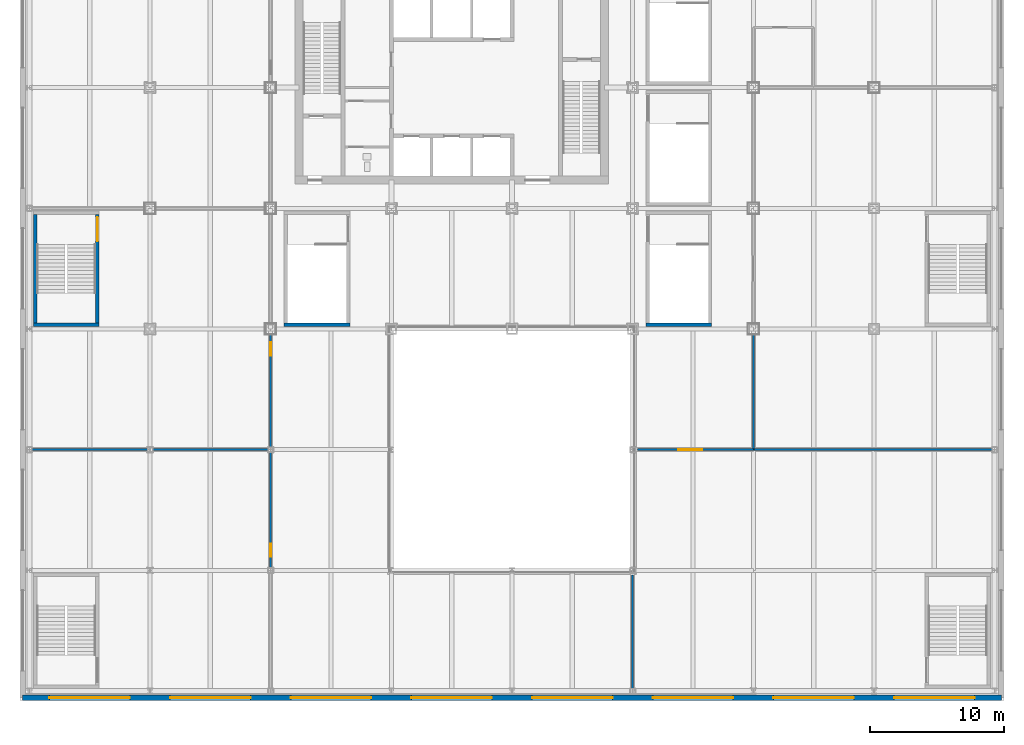
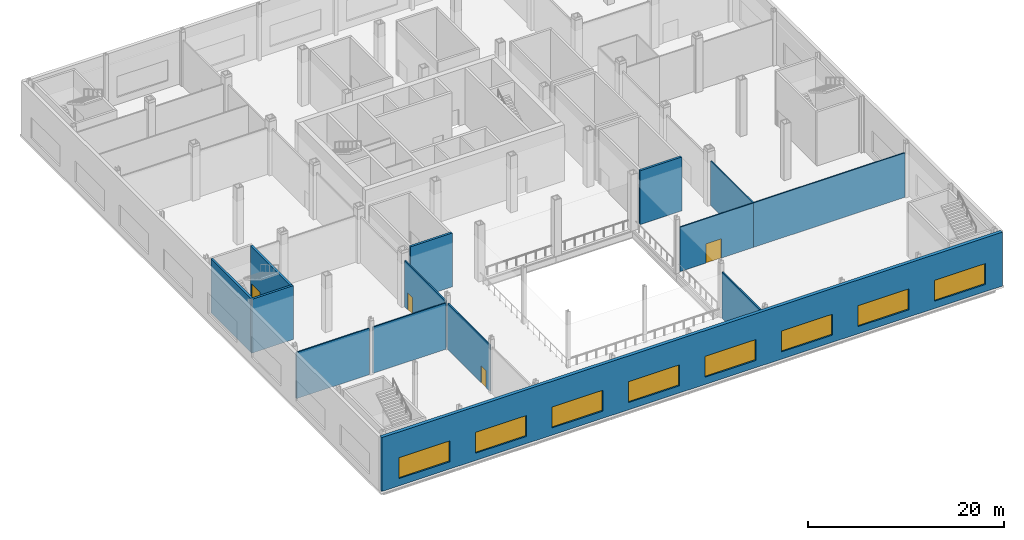
# One storey, part 11 of 32: 14 walls, 8 windows, 4 doors, 12 openings.
"""IFC4 building model written with IfcOpenShell, lengths in metres."""

from ifc_helpers import new_model, si_unit, direction, frame, frame_2d, origin, place, context, subcontext, project, spatial, rectangle, extrude, material, layer, layer_set, type_object, element, fill, save


model = new_model("IFC4")

# Units and contexts
model_context = context("Model", 3, precision=1e-05, world=origin(), true_north=direction((0.0, 1.0)))
body_context = subcontext(model_context, "Body", "Model", "MODEL_VIEW")
ifc_project = project(units=[si_unit("LENGTHUNIT", "METRE"), si_unit("AREAUNIT", "SQUARE_METRE"), si_unit("VOLUMEUNIT", "CUBIC_METRE"), si_unit("PLANEANGLEUNIT", "RADIAN"), si_unit("MASSUNIT", "GRAM", prefix="KILO")], contexts=[model_context])

# Site, building, storey
site_placement = place(None, origin())
site = spatial("IfcSite", under=ifc_project, at=site_placement, CompositionType="ELEMENT")
building_placement = place(site_placement, origin())
building = spatial("IfcBuilding", under=site, at=building_placement, Name="Loomwork Tower", CompositionType="ELEMENT")
storey_placement = place(building_placement, frame((0.0, 0.0, 16.0)))
storey = spatial("IfcBuildingStorey", under=building, at=storey_placement, Name="L03", CompositionType="ELEMENT", Elevation=16.0)

# Walls
ifc_material_1 = material(Name="Gypsum board on steel studs, one-hour", Category="steel")
ifc_layer_1 = layer(ifc_material_1, 0.14990234375)
ifc_layer_set_1 = layer_set([ifc_layer_1], Name="Partition 150")
wall_type_1 = type_object("IfcWallType", Name="Partition 150", PredefinedType="PARTITIONING", material=ifc_layer_set_1)
wall_1_placement = place(storey_placement, frame((-8.81201171875, -9.0, 0.0), z_axis=(0.0, 0.0, 1.0), x_axis=(1.0, 0.0, 0.0)))
element("IfcWall", 1, at=wall_1_placement, inside=storey, type_object=wall_type_1, Name="Partition L03 1.1", PredefinedType="PARTITIONING", context=body_context, shape_type="SweptSolid", body=[
    extrude(rectangle(XDim=8.615234375, YDim=0.14990234375, at=frame_2d((4.3076171875, 0.0))), origin(), (0.0, 0.0, 1.0), 5.752685546875),
])
wall_2_placement = place(storey_placement, frame((0.19677734375, -9.0, 0.0), z_axis=(0.0, 0.0, 1.0), x_axis=(1.0, 0.0, 0.0)))
element("IfcWall", 2, at=wall_2_placement, inside=storey, type_object=wall_type_1, Name="Partition L03 1.2", PredefinedType="PARTITIONING", context=body_context, shape_type="SweptSolid", body=[
    extrude(rectangle(XDim=8.6064453125, YDim=0.14990234375, at=frame_2d((4.30322265625, 0.0))), origin(), (0.0, 0.0, 1.0), 5.752685546875),
])

# Wall, opening, door
wall_3_placement = place(storey_placement, frame((9.0, -9.18798828125, 0.0), z_axis=(0.0, 0.0, 1.0), x_axis=(0.0, -1.0, 0.0)))
wall_3 = element("IfcWall", 3, at=wall_3_placement, inside=storey, type_object=wall_type_1, Name="Partition L03 6.1", PredefinedType="PARTITIONING", context=body_context, shape_type="SweptSolid", body=[
    extrude(rectangle(XDim=8.6240234375, YDim=0.14990234375, at=frame_2d((4.31201171875, 0.0))), origin(), (0.0, 0.0, 1.0), 5.752685546875),
])
opening_1_placement = place(wall_3_placement, frame((6.81201171875, 0.0, 0.0)))
opening_1 = element("IfcOpeningElement", 4, at=opening_1_placement, cuts=wall_3, Name="Opening D7", PredefinedType="OPENING", context=body_context, shape_type="SweptSolid", body=[
    extrude(rectangle(XDim=1.0, YDim=2.10009765625, at=frame_2d((0.5, 1.050048828125))), frame((0.0, 0.0849609375, 0.0), z_axis=(0.0, -1.0, 0.0), x_axis=(1.0, 0.0, 0.0)), (0.0, 0.0, 1.0), 0.169921875),
])
ifc_material_2 = material(Name="Hollow metal door and frame")
door_type_1 = type_object("IfcDoorType", Name="Room door 1000", OperationType="SINGLE_SWING_LEFT", PredefinedType="DOOR", material=ifc_material_2)
door_1_placement = place(opening_1_placement, origin())
door_1 = element("IfcDoor", 5, at=door_1_placement, inside=storey, type_object=door_type_1, Name="Meeting room 301 door", OperationType="SINGLE_SWING_LEFT", OverallHeight=2.10009765625, OverallWidth=1.0, PredefinedType="DOOR", context=body_context, shape_type="SweptSolid", body=[
    extrude(rectangle(XDim=1.0, YDim=2.10009765625, at=frame_2d((0.5, 1.050048828125))), frame((0.0, 0.02490234375, 0.0), z_axis=(0.0, -1.0, 0.0), x_axis=(1.0, 0.0, 0.0)), (0.0, 0.0, 1.0), 0.050048828125),
])
fill(opening_1, door_1)

wall_4_placement = place(storey_placement, frame((9.0, -0.39990234375, 0.0), z_axis=(0.0, 0.0, 1.0), x_axis=(0.0, -1.0, 0.0)))
wall_4 = element("IfcWall", 6, at=wall_4_placement, inside=storey, type_object=wall_type_1, Name="Partition L03 7.2", PredefinedType="PARTITIONING", context=body_context, shape_type="SweptSolid", body=[
    extrude(rectangle(XDim=8.412109375, YDim=0.14990234375, at=frame_2d((4.2060546875, 0.0))), origin(), (0.0, 0.0, 1.0), 5.752685546875),
])
opening_2_placement = place(wall_4_placement, frame((0.60009765625, 0.0, 0.0)))
opening_2 = element("IfcOpeningElement", 7, at=opening_2_placement, cuts=wall_4, Name="Opening D7", PredefinedType="OPENING", context=body_context, shape_type="SweptSolid", body=[
    extrude(rectangle(XDim=1.0, YDim=2.10009765625, at=frame_2d((0.5, 1.050048828125))), frame((0.0, 0.0849609375, 0.0), z_axis=(0.0, -1.0, 0.0), x_axis=(1.0, 0.0, 0.0)), (0.0, 0.0, 1.0), 0.169921875),
])
door_2_placement = place(opening_2_placement, origin())
door_2 = element("IfcDoor", 8, at=door_2_placement, inside=storey, type_object=door_type_1, Name="Meeting room 302 door", OperationType="SINGLE_SWING_LEFT", OverallHeight=2.10009765625, OverallWidth=1.0, PredefinedType="DOOR", context=body_context, shape_type="SweptSolid", body=[
    extrude(rectangle(XDim=1.0, YDim=2.10009765625, at=frame_2d((0.5, 1.050048828125))), frame((0.0, 0.02490234375, 0.0), z_axis=(0.0, -1.0, 0.0), x_axis=(1.0, 0.0, 0.0)), (0.0, 0.0, 1.0), 0.050048828125),
])
fill(opening_2, door_2)

# Wall
wall_5_placement = place(storey_placement, frame((36.0, -26.81201171875, 0.0), z_axis=(0.0, 0.0, 1.0), x_axis=(0.0, 1.0, 0.0)))
element("IfcWall", 9, at=wall_5_placement, inside=storey, type_object=wall_type_1, Name="Partition L03 12.1", PredefinedType="PARTITIONING", context=body_context, shape_type="SweptSolid", body=[
    extrude(rectangle(XDim=8.4619140625, YDim=0.14990234375, at=frame_2d((4.23095703125, 0.0))), origin(), (0.0, 0.0, 1.0), 5.752685546875),
])

# Wall, opening, door
wall_6_placement = place(storey_placement, frame((36.35009765625, -9.0, 0.0), z_axis=(0.0, 0.0, 1.0), x_axis=(1.0, 0.0, 0.0)))
wall_6 = element("IfcWall", 10, at=wall_6_placement, inside=storey, type_object=wall_type_1, Name="Partition L03 13.1", PredefinedType="PARTITIONING", context=body_context, shape_type="SweptSolid", body=[
    extrude(rectangle(XDim=8.64990234375, YDim=0.14990234375, at=frame_2d((4.324951171875, 0.0))), origin(), (0.0, 0.0, 1.0), 5.52001953125),
])
opening_3_placement = place(wall_6_placement, frame((3.050048828125, 0.0, 0.0)))
opening_3 = element("IfcOpeningElement", 11, at=opening_3_placement, cuts=wall_6, Name="Opening D9", PredefinedType="OPENING", context=body_context, shape_type="SweptSolid", body=[
    extrude(rectangle(XDim=1.800048828125, YDim=2.39990234375, at=frame_2d((0.89990234375, 1.199951171875))), frame((0.0, 0.0849609375, 0.0), z_axis=(0.0, -1.0, 0.0), x_axis=(1.0, 0.0, 0.0)), (0.0, 0.0, 1.0), 0.169921875),
])
ifc_material_3 = material(Name="Hollow metal door and frame")
door_type_2 = type_object("IfcDoorType", Name="Double door 1800", OperationType="DOUBLE_DOOR_SINGLE_SWING", PredefinedType="DOOR", material=ifc_material_3)
door_3_placement = place(opening_3_placement, origin())
door_3 = element("IfcDoor", 12, at=door_3_placement, inside=storey, type_object=door_type_2, Name="Grand ballroom door", OperationType="DOUBLE_DOOR_SINGLE_SWING", OverallHeight=2.39990234375, OverallWidth=1.800048828125, PredefinedType="DOOR", context=body_context, shape_type="SweptSolid", body=[
    extrude(rectangle(XDim=1.800048828125, YDim=2.39990234375, at=frame_2d((0.89990234375, 1.199951171875))), frame((0.0, 0.02490234375, 0.0), z_axis=(0.0, -1.0, 0.0), x_axis=(1.0, 0.0, 0.0)), (0.0, 0.0, 1.0), 0.050048828125),
])
fill(opening_3, door_3)

# Walls
wall_7_placement = place(storey_placement, frame((45.0, -9.0, 0.0), z_axis=(0.0, 0.0, 1.0), x_axis=(1.0, 0.0, 0.0)))
element("IfcWall", 13, at=wall_7_placement, inside=storey, type_object=wall_type_1, Name="Partition L03 14.1", PredefinedType="PARTITIONING", context=body_context, shape_type="SweptSolid", body=[
    extrude(rectangle(XDim=17.81201171875, YDim=0.14990234375, at=frame_2d((8.906005859375, 0.0))), origin(), (0.0, 0.0, 1.0), 5.52001953125),
])
wall_8_placement = place(storey_placement, frame((45.0, -9.0, 0.0), z_axis=(0.0, 0.0, 1.0), x_axis=(0.0, 1.0, 0.0)))
element("IfcWall", 14, at=wall_8_placement, inside=storey, type_object=wall_type_1, Name="Partition L03 15.1", PredefinedType="PARTITIONING", context=body_context, shape_type="SweptSolid", body=[
    extrude(rectangle(XDim=8.60009765625, YDim=0.14990234375, at=frame_2d((4.300048828125, 0.0))), origin(), (0.0, 0.0, 1.0), 5.52001953125),
])

# Wall, openings, windows
ifc_material_4 = material(Name="Limestone on concrete masonry", Category="masonry")
ifc_layer_2 = layer(ifc_material_4, 0.39990234375)
ifc_layer_set_2 = layer_set([ifc_layer_2], Name="Podium limestone wall 400")
wall_type_2 = type_object("IfcWallType", Name="Podium limestone wall 400", PredefinedType="SOLIDWALL", material=ifc_layer_set_2)
wall_9_placement = place(storey_placement, frame((-9.5, -27.5, 0.0), z_axis=(0.0, 0.0, 1.0), x_axis=(1.0, 0.0, 0.0)))
wall_9 = element("IfcWall", 15, at=wall_9_placement, inside=storey, type_object=wall_type_2, Name="Podium stone wall S", PredefinedType="SOLIDWALL", context=body_context, shape_type="SweptSolid", body=[
    extrude(rectangle(XDim=73.0, YDim=0.39990234375, at=frame_2d((36.5, 0.0))), origin(), (0.0, 0.0, 1.0), 6.699951171875),
])
opening_4_placement = place(wall_9_placement, frame((2.0, 0.0, 0.89990234375)))
opening_4 = element("IfcOpeningElement", 16, at=opening_4_placement, cuts=wall_9, Name="Opening CH3", PredefinedType="OPENING", context=body_context, shape_type="SweptSolid", body=[
    extrude(rectangle(XDim=6.0, YDim=2.60009765625, at=frame_2d((3.0, 1.300048828125))), frame((0.0, 0.2099609375, 0.0), z_axis=(0.0, -1.0, 0.0), x_axis=(1.0, 0.0, 0.0)), (0.0, 0.0, 1.0), 0.419921875),
])
opening_5_placement = place(wall_9_placement, frame((11.0, 0.0, 0.89990234375)))
opening_5 = element("IfcOpeningElement", 17, at=opening_5_placement, cuts=wall_9, Name="Opening CH3", PredefinedType="OPENING", context=body_context, shape_type="SweptSolid", body=[
    extrude(rectangle(XDim=6.0, YDim=2.60009765625, at=frame_2d((3.0, 1.300048828125))), frame((0.0, 0.2099609375, 0.0), z_axis=(0.0, -1.0, 0.0), x_axis=(1.0, 0.0, 0.0)), (0.0, 0.0, 1.0), 0.419921875),
])
opening_6_placement = place(wall_9_placement, frame((20.0, 0.0, 0.89990234375)))
opening_6 = element("IfcOpeningElement", 18, at=opening_6_placement, cuts=wall_9, Name="Opening CH3", PredefinedType="OPENING", context=body_context, shape_type="SweptSolid", body=[
    extrude(rectangle(XDim=6.0, YDim=2.60009765625, at=frame_2d((3.0, 1.300048828125))), frame((0.0, 0.2099609375, 0.0), z_axis=(0.0, -1.0, 0.0), x_axis=(1.0, 0.0, 0.0)), (0.0, 0.0, 1.0), 0.419921875),
])
opening_7_placement = place(wall_9_placement, frame((29.0, 0.0, 0.89990234375)))
opening_7 = element("IfcOpeningElement", 19, at=opening_7_placement, cuts=wall_9, Name="Opening CH3", PredefinedType="OPENING", context=body_context, shape_type="SweptSolid", body=[
    extrude(rectangle(XDim=6.0, YDim=2.60009765625, at=frame_2d((3.0, 1.300048828125))), frame((0.0, 0.2099609375, 0.0), z_axis=(0.0, -1.0, 0.0), x_axis=(1.0, 0.0, 0.0)), (0.0, 0.0, 1.0), 0.419921875),
])
opening_8_placement = place(wall_9_placement, frame((38.0, 0.0, 0.89990234375)))
opening_8 = element("IfcOpeningElement", 20, at=opening_8_placement, cuts=wall_9, Name="Opening CH3", PredefinedType="OPENING", context=body_context, shape_type="SweptSolid", body=[
    extrude(rectangle(XDim=6.0, YDim=2.60009765625, at=frame_2d((3.0, 1.300048828125))), frame((0.0, 0.2099609375, 0.0), z_axis=(0.0, -1.0, 0.0), x_axis=(1.0, 0.0, 0.0)), (0.0, 0.0, 1.0), 0.419921875),
])
opening_9_placement = place(wall_9_placement, frame((47.0, 0.0, 0.89990234375)))
opening_9 = element("IfcOpeningElement", 21, at=opening_9_placement, cuts=wall_9, Name="Opening CH3", PredefinedType="OPENING", context=body_context, shape_type="SweptSolid", body=[
    extrude(rectangle(XDim=6.0, YDim=2.60009765625, at=frame_2d((3.0, 1.300048828125))), frame((0.0, 0.2099609375, 0.0), z_axis=(0.0, -1.0, 0.0), x_axis=(1.0, 0.0, 0.0)), (0.0, 0.0, 1.0), 0.419921875),
])
opening_10_placement = place(wall_9_placement, frame((56.0, 0.0, 0.89990234375)))
opening_10 = element("IfcOpeningElement", 22, at=opening_10_placement, cuts=wall_9, Name="Opening CH3", PredefinedType="OPENING", context=body_context, shape_type="SweptSolid", body=[
    extrude(rectangle(XDim=6.0, YDim=2.60009765625, at=frame_2d((3.0, 1.300048828125))), frame((0.0, 0.2099609375, 0.0), z_axis=(0.0, -1.0, 0.0), x_axis=(1.0, 0.0, 0.0)), (0.0, 0.0, 1.0), 0.419921875),
])
opening_11_placement = place(wall_9_placement, frame((65.0, 0.0, 0.89990234375)))
opening_11 = element("IfcOpeningElement", 23, at=opening_11_placement, cuts=wall_9, Name="Opening CH3", PredefinedType="OPENING", context=body_context, shape_type="SweptSolid", body=[
    extrude(rectangle(XDim=6.0, YDim=2.60009765625, at=frame_2d((3.0, 1.300048828125))), frame((0.0, 0.2099609375, 0.0), z_axis=(0.0, -1.0, 0.0), x_axis=(1.0, 0.0, 0.0)), (0.0, 0.0, 1.0), 0.419921875),
])
ifc_material_5 = material(Name="Aluminium frame with clear insulated glass", Category="aluminium")
window_type = type_object("IfcWindowType", Name="Podium Chicago window 6000", PartitioningType="TRIPLE_PANEL_VERTICAL", PredefinedType="WINDOW", material=ifc_material_5)
window_1_placement = place(opening_4_placement, origin())
window_1 = element("IfcWindow", 24, at=window_1_placement, inside=storey, type_object=window_type, Name="Podium window S bay 1", OverallHeight=2.60009765625, OverallWidth=6.0, PartitioningType="TRIPLE_PANEL_VERTICAL", PredefinedType="WINDOW", context=body_context, shape_type="SweptSolid", body=[
    extrude(rectangle(XDim=6.0, YDim=2.60009765625, at=frame_2d((3.0, 1.300048828125))), frame((0.0, 0.030029296875, 0.0), z_axis=(0.0, -1.0, 0.0), x_axis=(1.0, 0.0, 0.0)), (0.0, 0.0, 1.0), 0.06005859375),
])
fill(opening_4, window_1)
window_2_placement = place(opening_5_placement, origin())
window_2 = element("IfcWindow", 25, at=window_2_placement, inside=storey, type_object=window_type, Name="Podium window S bay 2", OverallHeight=2.60009765625, OverallWidth=6.0, PartitioningType="TRIPLE_PANEL_VERTICAL", PredefinedType="WINDOW", context=body_context, shape_type="SweptSolid", body=[
    extrude(rectangle(XDim=6.0, YDim=2.60009765625, at=frame_2d((3.0, 1.300048828125))), frame((0.0, 0.030029296875, 0.0), z_axis=(0.0, -1.0, 0.0), x_axis=(1.0, 0.0, 0.0)), (0.0, 0.0, 1.0), 0.06005859375),
])
fill(opening_5, window_2)
window_3_placement = place(opening_6_placement, origin())
window_3 = element("IfcWindow", 26, at=window_3_placement, inside=storey, type_object=window_type, Name="Podium window S bay 3", OverallHeight=2.60009765625, OverallWidth=6.0, PartitioningType="TRIPLE_PANEL_VERTICAL", PredefinedType="WINDOW", context=body_context, shape_type="SweptSolid", body=[
    extrude(rectangle(XDim=6.0, YDim=2.60009765625, at=frame_2d((3.0, 1.300048828125))), frame((0.0, 0.030029296875, 0.0), z_axis=(0.0, -1.0, 0.0), x_axis=(1.0, 0.0, 0.0)), (0.0, 0.0, 1.0), 0.06005859375),
])
fill(opening_6, window_3)
window_4_placement = place(opening_7_placement, origin())
window_4 = element("IfcWindow", 27, at=window_4_placement, inside=storey, type_object=window_type, Name="Podium window S bay 4", OverallHeight=2.60009765625, OverallWidth=6.0, PartitioningType="TRIPLE_PANEL_VERTICAL", PredefinedType="WINDOW", context=body_context, shape_type="SweptSolid", body=[
    extrude(rectangle(XDim=6.0, YDim=2.60009765625, at=frame_2d((3.0, 1.300048828125))), frame((0.0, 0.030029296875, 0.0), z_axis=(0.0, -1.0, 0.0), x_axis=(1.0, 0.0, 0.0)), (0.0, 0.0, 1.0), 0.06005859375),
])
fill(opening_7, window_4)
window_5_placement = place(opening_8_placement, origin())
window_5 = element("IfcWindow", 28, at=window_5_placement, inside=storey, type_object=window_type, Name="Podium window S bay 5", OverallHeight=2.60009765625, OverallWidth=6.0, PartitioningType="TRIPLE_PANEL_VERTICAL", PredefinedType="WINDOW", context=body_context, shape_type="SweptSolid", body=[
    extrude(rectangle(XDim=6.0, YDim=2.60009765625, at=frame_2d((3.0, 1.300048828125))), frame((0.0, 0.030029296875, 0.0), z_axis=(0.0, -1.0, 0.0), x_axis=(1.0, 0.0, 0.0)), (0.0, 0.0, 1.0), 0.06005859375),
])
fill(opening_8, window_5)
window_6_placement = place(opening_9_placement, origin())
window_6 = element("IfcWindow", 29, at=window_6_placement, inside=storey, type_object=window_type, Name="Podium window S bay 6", OverallHeight=2.60009765625, OverallWidth=6.0, PartitioningType="TRIPLE_PANEL_VERTICAL", PredefinedType="WINDOW", context=body_context, shape_type="SweptSolid", body=[
    extrude(rectangle(XDim=6.0, YDim=2.60009765625, at=frame_2d((3.0, 1.300048828125))), frame((0.0, 0.030029296875, 0.0), z_axis=(0.0, -1.0, 0.0), x_axis=(1.0, 0.0, 0.0)), (0.0, 0.0, 1.0), 0.06005859375),
])
fill(opening_9, window_6)
window_7_placement = place(opening_10_placement, origin())
window_7 = element("IfcWindow", 30, at=window_7_placement, inside=storey, type_object=window_type, Name="Podium window S bay 7", OverallHeight=2.60009765625, OverallWidth=6.0, PartitioningType="TRIPLE_PANEL_VERTICAL", PredefinedType="WINDOW", context=body_context, shape_type="SweptSolid", body=[
    extrude(rectangle(XDim=6.0, YDim=2.60009765625, at=frame_2d((3.0, 1.300048828125))), frame((0.0, 0.030029296875, 0.0), z_axis=(0.0, -1.0, 0.0), x_axis=(1.0, 0.0, 0.0)), (0.0, 0.0, 1.0), 0.06005859375),
])
fill(opening_10, window_7)
window_8_placement = place(opening_11_placement, origin())
window_8 = element("IfcWindow", 31, at=window_8_placement, inside=storey, type_object=window_type, Name="Podium window S bay 8", OverallHeight=2.60009765625, OverallWidth=6.0, PartitioningType="TRIPLE_PANEL_VERTICAL", PredefinedType="WINDOW", context=body_context, shape_type="SweptSolid", body=[
    extrude(rectangle(XDim=6.0, YDim=2.60009765625, at=frame_2d((3.0, 1.300048828125))), frame((0.0, 0.030029296875, 0.0), z_axis=(0.0, -1.0, 0.0), x_axis=(1.0, 0.0, 0.0)), (0.0, 0.0, 1.0), 0.06005859375),
])
fill(opening_11, window_8)

# Walls
ifc_material_6 = material(Name="Concrete masonry, two-hour", Category="masonry")
ifc_layer_3 = layer(ifc_material_6, 0.25)
ifc_layer_set_3 = layer_set([ifc_layer_3], Name="Stair enclosure wall 250")
wall_type_3 = type_object("IfcWallType", Name="Stair enclosure wall 250", PredefinedType="SOLIDWALL", material=ifc_layer_set_3)
wall_10_placement = place(storey_placement, frame((-8.699951171875, 0.324951171875, 0.0), z_axis=(0.0, 0.0, 1.0), x_axis=(1.0, 0.0, 0.0)))
element("IfcWall", 32, at=wall_10_placement, inside=storey, type_object=wall_type_3, Name="Stair PS5 enclosure wall S L03", PredefinedType="SOLIDWALL", context=body_context, shape_type="SweptSolid", body=[
    extrude(rectangle(XDim=4.89990234375, YDim=0.25, at=frame_2d((2.449951171875, 0.0))), origin(), (0.0, 0.0, 1.0), 6.699951171875),
])
wall_11_placement = place(storey_placement, frame((-8.574951171875, 0.449951171875, 0.0), z_axis=(0.0, 0.0, 1.0), x_axis=(0.0, 1.0, 0.0)))
element("IfcWall", 33, at=wall_11_placement, inside=storey, type_object=wall_type_3, Name="Stair PS5 enclosure wall W L03", PredefinedType="SOLIDWALL", context=body_context, shape_type="SweptSolid", body=[
    extrude(rectangle(XDim=8.10009765625, YDim=0.25, at=frame_2d((4.050048828125, 0.0))), origin(), (0.0, 0.0, 1.0), 6.699951171875),
])

# Wall, opening, door
wall_12_placement = place(storey_placement, frame((-3.925048828125, 0.449951171875, 0.0), z_axis=(0.0, 0.0, 1.0), x_axis=(0.0, 1.0, 0.0)))
wall_12 = element("IfcWall", 34, at=wall_12_placement, inside=storey, type_object=wall_type_3, Name="Stair PS5 enclosure wall E L03", PredefinedType="SOLIDWALL", context=body_context, shape_type="SweptSolid", body=[
    extrude(rectangle(XDim=8.10009765625, YDim=0.25, at=frame_2d((4.050048828125, 0.0))), origin(), (0.0, 0.0, 1.0), 6.699951171875),
])
opening_12_placement = place(wall_12_placement, frame((6.10009765625, 0.0, 0.0)))
opening_12 = element("IfcOpeningElement", 35, at=opening_12_placement, cuts=wall_12, Name="Opening D14", PredefinedType="OPENING", context=body_context, shape_type="SweptSolid", body=[
    extrude(rectangle(XDim=1.800048828125, YDim=2.10009765625, at=frame_2d((0.89990234375, 1.050048828125))), frame((0.0, 0.135009765625, 0.0), z_axis=(0.0, -1.0, 0.0), x_axis=(1.0, 0.0, 0.0)), (0.0, 0.0, 1.0), 0.27001953125),
])
ifc_material_7 = material(Name="Hollow metal door and frame")
door_type_3 = type_object("IfcDoorType", Name="Stair double door 1800", OperationType="DOUBLE_DOOR_SINGLE_SWING", PredefinedType="DOOR", material=ifc_material_7)
door_4_placement = place(opening_12_placement, origin())
door_4 = element("IfcDoor", 36, at=door_4_placement, inside=storey, type_object=door_type_3, Name="Stair PS5 door L03", OperationType="DOUBLE_DOOR_SINGLE_SWING", OverallHeight=2.10009765625, OverallWidth=1.800048828125, PredefinedType="DOOR", context=body_context, shape_type="SweptSolid", body=[
    extrude(rectangle(XDim=1.800048828125, YDim=2.10009765625, at=frame_2d((0.89990234375, 1.050048828125))), frame((0.0, 0.02490234375, 0.0), z_axis=(0.0, -1.0, 0.0), x_axis=(1.0, 0.0, 0.0)), (0.0, 0.0, 1.0), 0.050048828125),
])
fill(opening_12, door_4)

# Walls
for number, where, z_axis, x_axis, name in (
    (37, (37.0, 0.324951171875, 0.0), (0.0, 0.0, 1.0), (1.0, 0.0, 0.0), "Stair PS7 enclosure wall S L03"),
    (38, (10.0, 0.324951171875, 0.0), (0.0, 0.0, 1.0), (1.0, 0.0, 0.0), "Stair PS12 enclosure wall S L03"),
):
    element("IfcWall", number, at=place(storey_placement, frame(where, z_axis=z_axis, x_axis=x_axis)), inside=storey, type_object=wall_type_3, Name=name, PredefinedType="SOLIDWALL", context=body_context, shape_type="SweptSolid", body=[
        extrude(rectangle(XDim=4.89990234375, YDim=0.25, at=frame_2d((2.449951171875, 0.0))), origin(), (0.0, 0.0, 1.0), 6.699951171875),
    ])

save(model, "model.ifc")
